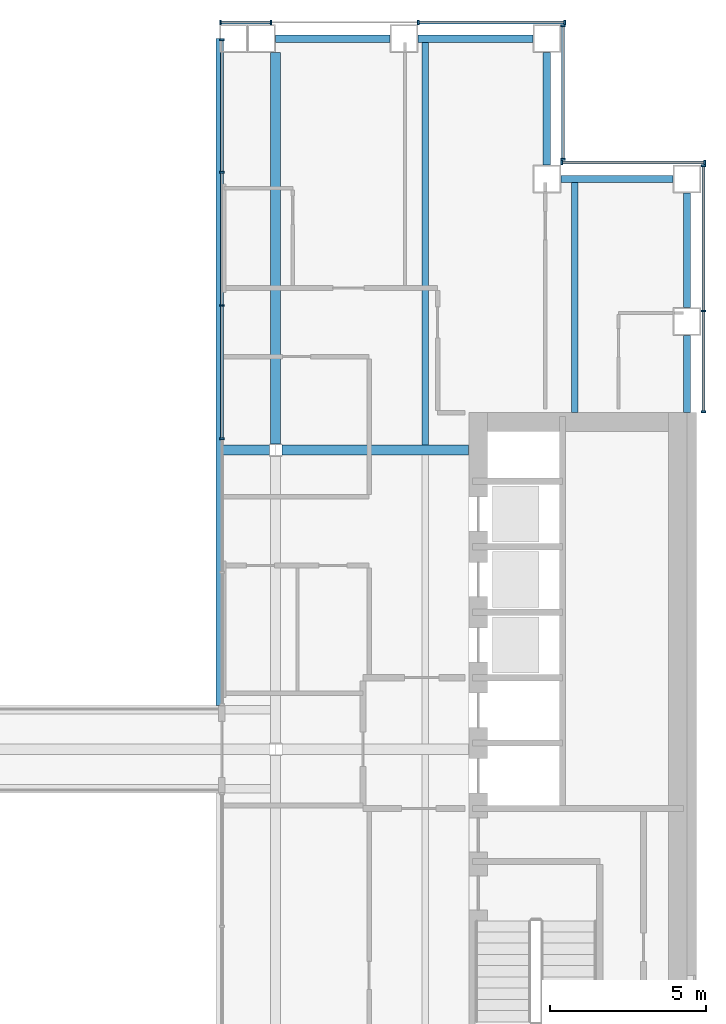
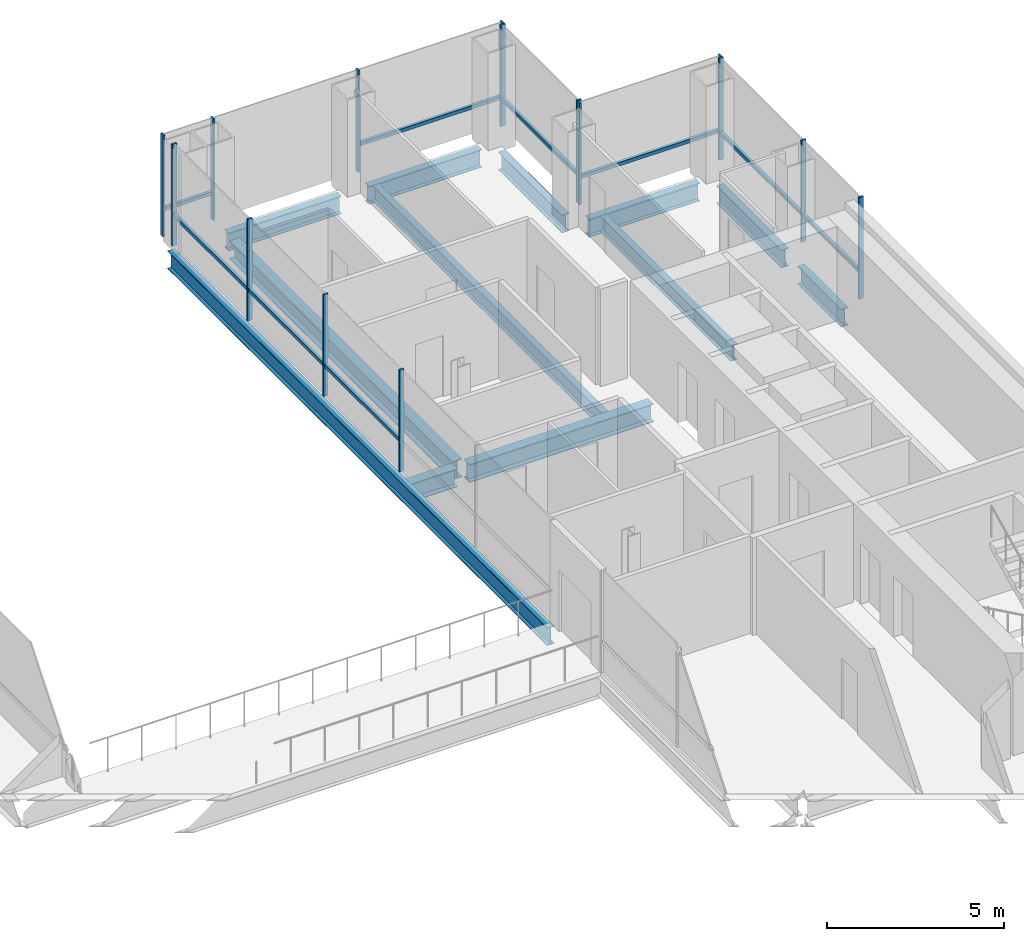
# One storey, part 8 of 16: 24 members, 12 beams, 5 elements without a shape of their own.
"""IFC4 building model written with IfcOpenShell, lengths in metres."""

from ifc_helpers import new_model, si_unit, direction, frame, origin, origin_2d, place, context, subcontext, project, spatial, rectangle, i_section, extrude, material, material_profile, profile_set, type_object, element, aggregate, save


model = new_model("IFC4")

# Units and contexts
model_context = context("Model", 3, precision=1e-05, world=origin(), true_north=direction((0.0, 1.0)))
body_context = subcontext(model_context, "Body", "Model", "MODEL_VIEW")
ifc_project = project(units=[si_unit("LENGTHUNIT", "METRE"), si_unit("AREAUNIT", "SQUARE_METRE"), si_unit("VOLUMEUNIT", "CUBIC_METRE"), si_unit("PLANEANGLEUNIT", "RADIAN"), si_unit("MASSUNIT", "GRAM", prefix="KILO")], contexts=[model_context])

# Site, building, storey
site_placement = place(None, origin())
site = spatial("IfcSite", under=ifc_project, at=site_placement, CompositionType="ELEMENT")
building_placement = place(site_placement, origin())
building = spatial("IfcBuilding", under=site, at=building_placement, Name="Cobrizo Arcos Hotel Tower", CompositionType="ELEMENT")
storey_placement = place(building_placement, frame((0.0, 0.0, 120.5)))
storey = spatial("IfcBuildingStorey", under=building, at=storey_placement, Name="L30", CompositionType="ELEMENT", Elevation=120.5)

# Curtain wall, members
ifc_material_1 = material(Name="Aluminium 6063-T6 anodised bronze", Category="aluminium")
curtain_wall_type_1 = type_object("IfcCurtainWallType", Name="CW-A guest facade", PredefinedType="NOTDEFINED", material=ifc_material_1)
curtain_wall_1_placement = place(storey_placement, origin())
curtain_wall_1 = element("IfcCurtainWall", 1, at=curtain_wall_1_placement, inside=storey, type_object=curtain_wall_type_1, Name="CW-A L30 E face", PredefinedType="NOTDEFINED")
ifc_material_profile_1 = material_profile(ifc_material_1, rectangle(XDim=0.14990234375, YDim=0.06005859375, at=origin_2d()), Name="CW-A mullion 150x60")
ifc_profile_set_1 = profile_set([ifc_material_profile_1], Name="Aluminium 6063-T6 anodised bronze")
member_type_1 = type_object("IfcMemberType", Name="CW-A mullion 150x60", PredefinedType="MULLION", material=ifc_profile_set_1)
member_1_placement = place(storey_placement, frame((23.324951171875, 10.830078125, 0.0), z_axis=(0.0, 0.0, 1.0), x_axis=(1.0, 0.0, 0.0)))
member_1 = element("IfcMember", 2, at=member_1_placement, type_object=member_type_1, Name="CW-A mullion 1", PredefinedType="MULLION", context=body_context, shape_type="SweptSolid", body=[
    extrude(rectangle(XDim=0.14990234375, YDim=0.06005859375, at=origin_2d()), origin(), (0.0, 0.0, 1.0), 3.5),
])
member_2_placement = place(storey_placement, frame((23.324951171875, 14.0625, 0.0), z_axis=(0.0, 0.0, 1.0), x_axis=(1.0, 0.0, 0.0)))
member_2 = element("IfcMember", 3, at=member_2_placement, type_object=member_type_1, Name="CW-A mullion 2", PredefinedType="MULLION", context=body_context, shape_type="SweptSolid", body=[
    extrude(rectangle(XDim=0.14990234375, YDim=0.06005859375, at=origin_2d()), origin(), (0.0, 0.0, 1.0), 3.5),
])
member_3_placement = place(storey_placement, frame((23.324951171875, 18.719970703125, 0.0), z_axis=(0.0, 0.0, 1.0), x_axis=(1.0, 0.0, 0.0)))
member_3 = element("IfcMember", 4, at=member_3_placement, type_object=member_type_1, Name="CW-A mullion 3", PredefinedType="MULLION", context=body_context, shape_type="SweptSolid", body=[
    extrude(rectangle(XDim=0.14990234375, YDim=0.06005859375, at=origin_2d()), origin(), (0.0, 0.0, 1.0), 3.5),
])

curtain_wall_2_placement = place(storey_placement, origin())
curtain_wall_2 = element("IfcCurtainWall", 5, at=curtain_wall_2_placement, inside=storey, type_object=curtain_wall_type_1, Name="CW-A L30 N face", PredefinedType="NOTDEFINED")
member_4_placement = place(storey_placement, frame((23.3701171875, 18.824951171875, 0.0), z_axis=(0.0, 0.0, 1.0), x_axis=(0.0, 1.0, 0.0)))
member_4 = element("IfcMember", 6, at=member_4_placement, type_object=member_type_1, Name="CW-A mullion 1", PredefinedType="MULLION", context=body_context, shape_type="SweptSolid", body=[
    extrude(rectangle(XDim=0.14990234375, YDim=0.06005859375, at=origin_2d()), origin(), (0.0, 0.0, 1.0), 3.5),
])
member_5_placement = place(storey_placement, frame((18.780029296875, 18.824951171875, 0.0), z_axis=(0.0, 0.0, 1.0), x_axis=(0.0, 1.0, 0.0)))
member_5 = element("IfcMember", 7, at=member_5_placement, type_object=member_type_1, Name="CW-A mullion 2", PredefinedType="MULLION", context=body_context, shape_type="SweptSolid", body=[
    extrude(rectangle(XDim=0.14990234375, YDim=0.06005859375, at=origin_2d()), origin(), (0.0, 0.0, 1.0), 3.5),
])

curtain_wall_3_placement = place(storey_placement, origin())
curtain_wall_3 = element("IfcCurtainWall", 8, at=curtain_wall_3_placement, inside=storey, type_object=curtain_wall_type_1, Name="CW-A L30 E face", PredefinedType="NOTDEFINED")
member_6_placement = place(storey_placement, frame((18.824951171875, 18.929931640625, 0.0), z_axis=(0.0, 0.0, 1.0), x_axis=(1.0, 0.0, 0.0)))
member_6 = element("IfcMember", 9, at=member_6_placement, type_object=member_type_1, Name="CW-A mullion 1", PredefinedType="MULLION", context=body_context, shape_type="SweptSolid", body=[
    extrude(rectangle(XDim=0.14990234375, YDim=0.06005859375, at=origin_2d()), origin(), (0.0, 0.0, 1.0), 3.5),
])
member_7_placement = place(storey_placement, frame((18.824951171875, 23.219970703125, 0.0), z_axis=(0.0, 0.0, 1.0), x_axis=(1.0, 0.0, 0.0)))
member_7 = element("IfcMember", 10, at=member_7_placement, type_object=member_type_1, Name="CW-A mullion 2", PredefinedType="MULLION", context=body_context, shape_type="SweptSolid", body=[
    extrude(rectangle(XDim=0.14990234375, YDim=0.06005859375, at=origin_2d()), origin(), (0.0, 0.0, 1.0), 3.5),
])

curtain_wall_4_placement = place(storey_placement, origin())
curtain_wall_4 = element("IfcCurtainWall", 11, at=curtain_wall_4_placement, inside=storey, type_object=curtain_wall_type_1, Name="CW-A L30 N face", PredefinedType="NOTDEFINED")
member_8_placement = place(storey_placement, frame((18.8701171875, 23.324951171875, 0.0), z_axis=(0.0, 0.0, 1.0), x_axis=(0.0, 1.0, 0.0)))
member_8 = element("IfcMember", 12, at=member_8_placement, type_object=member_type_1, Name="CW-A mullion 1", PredefinedType="MULLION", context=body_context, shape_type="SweptSolid", body=[
    extrude(rectangle(XDim=0.14990234375, YDim=0.06005859375, at=origin_2d()), origin(), (0.0, 0.0, 1.0), 3.5),
])
member_9_placement = place(storey_placement, frame((14.175048828125, 23.324951171875, 0.0), z_axis=(0.0, 0.0, 1.0), x_axis=(0.0, 1.0, 0.0)))
member_9 = element("IfcMember", 13, at=member_9_placement, type_object=member_type_1, Name="CW-A mullion 2", PredefinedType="MULLION", context=body_context, shape_type="SweptSolid", body=[
    extrude(rectangle(XDim=0.14990234375, YDim=0.06005859375, at=origin_2d()), origin(), (0.0, 0.0, 1.0), 3.5),
])
member_10_placement = place(storey_placement, frame((9.449951171875, 23.324951171875, 0.0), z_axis=(0.0, 0.0, 1.0), x_axis=(0.0, 1.0, 0.0)))
member_10 = element("IfcMember", 14, at=member_10_placement, type_object=member_type_1, Name="CW-A mullion 3", PredefinedType="MULLION", context=body_context, shape_type="SweptSolid", body=[
    extrude(rectangle(XDim=0.14990234375, YDim=0.06005859375, at=origin_2d()), origin(), (0.0, 0.0, 1.0), 3.5),
])
member_11_placement = place(storey_placement, frame((7.830078125, 23.324951171875, 0.0), z_axis=(0.0, 0.0, 1.0), x_axis=(0.0, 1.0, 0.0)))
member_11 = element("IfcMember", 15, at=member_11_placement, type_object=member_type_1, Name="CW-A mullion 4", PredefinedType="MULLION", context=body_context, shape_type="SweptSolid", body=[
    extrude(rectangle(XDim=0.14990234375, YDim=0.06005859375, at=origin_2d()), origin(), (0.0, 0.0, 1.0), 3.5),
])

# Member
ifc_material_profile_2 = material_profile(ifc_material_1, rectangle(XDim=0.10009765625, YDim=0.1201171875, at=origin_2d()), Name="CW-A transom 120x100")
ifc_profile_set_2 = profile_set([ifc_material_profile_2], Name="Aluminium 6063-T6 anodised bronze")
member_type_2 = type_object("IfcMemberType", Name="CW-A transom 120x100", PredefinedType="USERDEFINED", material=ifc_profile_set_2)
member_12_placement = place(storey_placement, frame((23.324951171875, 10.860107421875, 0.929931640625), z_axis=(0.0, 1.0, 0.0), x_axis=(-1.0, 0.0, 0.0)))
member_12 = element("IfcMember", 16, at=member_12_placement, type_object=member_type_2, Name="CW-A transom 1145", ObjectType="TRANSOM", PredefinedType="USERDEFINED", context=body_context, shape_type="SweptSolid", body=[
    extrude(rectangle(XDim=0.10009765625, YDim=0.1201171875, at=origin_2d()), origin(), (0.0, 0.0, 1.0), 3.17236328125),
])

member_13_placement = place(storey_placement, frame((23.324951171875, 14.092529296875, 0.929931640625), z_axis=(0.0, 1.0, 0.0), x_axis=(-1.0, 0.0, 0.0)))
member_13 = element("IfcMember", 17, at=member_13_placement, type_object=member_type_2, Name="CW-A transom 1146", ObjectType="TRANSOM", PredefinedType="USERDEFINED", context=body_context, shape_type="SweptSolid", body=[
    extrude(rectangle(XDim=0.10009765625, YDim=0.1201171875, at=origin_2d()), origin(), (0.0, 0.0, 1.0), 4.597412109375),
])

aggregate(curtain_wall_1, [member_1, member_2, member_3, member_12, member_13])

member_14_placement = place(storey_placement, frame((23.340087890625, 18.824951171875, 0.929931640625), z_axis=(-1.0, 0.0, 0.0), x_axis=(0.0, -1.0, 0.0)))
member_14 = element("IfcMember", 18, at=member_14_placement, type_object=member_type_2, Name="CW-A transom 1147", ObjectType="TRANSOM", PredefinedType="USERDEFINED", context=body_context, shape_type="SweptSolid", body=[
    extrude(rectangle(XDim=0.10009765625, YDim=0.1201171875, at=origin_2d()), origin(), (0.0, 0.0, 1.0), 4.530029296875),
])

aggregate(curtain_wall_2, [member_4, member_5, member_14])

member_15_placement = place(storey_placement, frame((18.824951171875, 18.9599609375, 0.929931640625), z_axis=(0.0, 1.0, 0.0), x_axis=(-1.0, 0.0, 0.0)))
member_15 = element("IfcMember", 19, at=member_15_placement, type_object=member_type_2, Name="CW-A transom 1148", ObjectType="TRANSOM", PredefinedType="USERDEFINED", context=body_context, shape_type="SweptSolid", body=[
    extrude(rectangle(XDim=0.10009765625, YDim=0.1201171875, at=origin_2d()), origin(), (0.0, 0.0, 1.0), 4.22998046875),
])

aggregate(curtain_wall_3, [member_6, member_7, member_15])

member_16_placement = place(storey_placement, frame((18.840087890625, 23.324951171875, 0.929931640625), z_axis=(-1.0, 0.0, 0.0), x_axis=(0.0, -1.0, 0.0)))
member_16 = element("IfcMember", 20, at=member_16_placement, type_object=member_type_2, Name="CW-A transom 1149", ObjectType="TRANSOM", PredefinedType="USERDEFINED", context=body_context, shape_type="SweptSolid", body=[
    extrude(rectangle(XDim=0.10009765625, YDim=0.1201171875, at=origin_2d()), origin(), (0.0, 0.0, 1.0), 4.635009765625),
])

member_17_placement = place(storey_placement, frame((9.419921875, 23.324951171875, 0.929931640625), z_axis=(-1.0, 0.0, 0.0), x_axis=(0.0, -1.0, 0.0)))
member_17 = element("IfcMember", 21, at=member_17_placement, type_object=member_type_2, Name="CW-A transom 1151", ObjectType="TRANSOM", PredefinedType="USERDEFINED", context=body_context, shape_type="SweptSolid", body=[
    extrude(rectangle(XDim=0.10009765625, YDim=0.1201171875, at=origin_2d()), origin(), (0.0, 0.0, 1.0), 1.559814453125),
])

aggregate(curtain_wall_4, [member_8, member_9, member_10, member_11, member_16, member_17])

# Curtain wall, members
curtain_wall_type_2 = type_object("IfcCurtainWallType", Name="CW-F void screen", PredefinedType="NOTDEFINED", material=ifc_material_1)
curtain_wall_5_placement = place(storey_placement, origin())
curtain_wall_5 = element("IfcCurtainWall", 22, at=curtain_wall_5_placement, inside=storey, type_object=curtain_wall_type_2, Name="CW-F L30 void screen B", PredefinedType="NOTDEFINED")
ifc_material_profile_3 = material_profile(ifc_material_1, rectangle(XDim=0.14990234375, YDim=0.06005859375, at=origin_2d()), Name="CW-F mullion 150x60")
ifc_profile_set_3 = profile_set([ifc_material_profile_3], Name="Aluminium 6063-T6 anodised bronze")
member_type_3 = type_object("IfcMemberType", Name="CW-F mullion 150x60", PredefinedType="MULLION", material=ifc_profile_set_3)
member_18_placement = place(storey_placement, frame((7.875, 9.9599609375, 0.0), z_axis=(0.0, 0.0, 1.0), x_axis=(1.0, 0.0, 0.0)))
member_18 = element("IfcMember", 23, at=member_18_placement, type_object=member_type_3, Name="CW-F mullion 3", PredefinedType="MULLION", context=body_context, shape_type="SweptSolid", body=[
    extrude(rectangle(XDim=0.14990234375, YDim=0.06005859375, at=origin_2d()), origin(), (0.0, 0.0, 1.0), 3.5),
])
member_19_placement = place(storey_placement, frame((7.875, 14.239990234375, 0.0), z_axis=(0.0, 0.0, 1.0), x_axis=(1.0, 0.0, 0.0)))
member_19 = element("IfcMember", 24, at=member_19_placement, type_object=member_type_3, Name="CW-F mullion 4", PredefinedType="MULLION", context=body_context, shape_type="SweptSolid", body=[
    extrude(rectangle(XDim=0.14990234375, YDim=0.06005859375, at=origin_2d()), origin(), (0.0, 0.0, 1.0), 3.5),
])
member_20_placement = place(storey_placement, frame((7.875, 18.52001953125, 0.0), z_axis=(0.0, 0.0, 1.0), x_axis=(1.0, 0.0, 0.0)))
member_20 = element("IfcMember", 25, at=member_20_placement, type_object=member_type_3, Name="CW-F mullion 5", PredefinedType="MULLION", context=body_context, shape_type="SweptSolid", body=[
    extrude(rectangle(XDim=0.14990234375, YDim=0.06005859375, at=origin_2d()), origin(), (0.0, 0.0, 1.0), 3.5),
])
member_21_placement = place(storey_placement, frame((7.875, 22.77001953125, 0.0), z_axis=(0.0, 0.0, 1.0), x_axis=(1.0, 0.0, 0.0)))
member_21 = element("IfcMember", 26, at=member_21_placement, type_object=member_type_3, Name="CW-F mullion 6", PredefinedType="MULLION", context=body_context, shape_type="SweptSolid", body=[
    extrude(rectangle(XDim=0.14990234375, YDim=0.06005859375, at=origin_2d()), origin(), (0.0, 0.0, 1.0), 3.5),
])
ifc_material_profile_4 = material_profile(ifc_material_1, rectangle(XDim=0.10009765625, YDim=0.1201171875, at=origin_2d()), Name="CW-F transom 120x100")
ifc_profile_set_4 = profile_set([ifc_material_profile_4], Name="Aluminium 6063-T6 anodised bronze")
member_type_4 = type_object("IfcMemberType", Name="CW-F transom 120x100", PredefinedType="USERDEFINED", material=ifc_profile_set_4)
member_22_placement = place(storey_placement, frame((7.875, 9.989990234375, 1.050048828125), z_axis=(0.0, 1.0, 0.0), x_axis=(-1.0, 0.0, 0.0)))
member_22 = element("IfcMember", 27, at=member_22_placement, type_object=member_type_4, Name="CW-F transom 2593", ObjectType="TRANSOM", PredefinedType="USERDEFINED", context=body_context, shape_type="SweptSolid", body=[
    extrude(rectangle(XDim=0.10009765625, YDim=0.1201171875, at=origin_2d()), origin(), (0.0, 0.0, 1.0), 4.219970703125),
])
member_23_placement = place(storey_placement, frame((7.875, 14.27001953125, 1.050048828125), z_axis=(0.0, 1.0, 0.0), x_axis=(-1.0, 0.0, 0.0)))
member_23 = element("IfcMember", 28, at=member_23_placement, type_object=member_type_4, Name="CW-F transom 2594", ObjectType="TRANSOM", PredefinedType="USERDEFINED", context=body_context, shape_type="SweptSolid", body=[
    extrude(rectangle(XDim=0.10009765625, YDim=0.1201171875, at=origin_2d()), origin(), (0.0, 0.0, 1.0), 4.219970703125),
])
member_24_placement = place(storey_placement, frame((7.875, 18.550048828125, 1.050048828125), z_axis=(0.0, 1.0, 0.0), x_axis=(-1.0, 0.0, 0.0)))
member_24 = element("IfcMember", 29, at=member_24_placement, type_object=member_type_4, Name="CW-F transom 2595", ObjectType="TRANSOM", PredefinedType="USERDEFINED", context=body_context, shape_type="SweptSolid", body=[
    extrude(rectangle(XDim=0.10009765625, YDim=0.1201171875, at=origin_2d()), origin(), (0.0, 0.0, 1.0), 4.18994140625),
])
aggregate(curtain_wall_5, [member_18, member_19, member_20, member_21, member_22, member_23, member_24])

# Beams
ifc_material_2 = material(Name="Steel ASTM A992 Grade 50", Category="steel")
ifc_material_profile_5 = material_profile(ifc_material_2, i_section(OverallWidth=0.209228515625, OverallDepth=0.533447265625, WebThickness=0.01025390625, FlangeThickness=0.015625, at=origin_2d()), Name="W21X62")
ifc_profile_set_5 = profile_set([ifc_material_profile_5], Name="Steel ASTM A992 Grade 50")
beam_type_1 = type_object("IfcBeamType", Name="W21X62 joist", PredefinedType="JOIST", material=ifc_profile_set_5)
beam_1_placement = place(storey_placement, frame((14.39990234375, 9.763916015625, -0.416748046875), z_axis=(0.0, 1.0, 0.0), x_axis=(-1.0, 0.0, 0.0)))
element("IfcBeam", 30, at=beam_1_placement, inside=storey, type_object=beam_type_1, Name="Floor joist J1, L30, no. 010", PredefinedType="JOIST", context=body_context, shape_type="SweptSolid", body=[
    extrude(i_section(OverallWidth=0.209228515625, OverallDepth=0.533447265625, WebThickness=0.01025390625, FlangeThickness=0.015625, at=origin_2d()), origin(), (0.0, 0.0, 1.0), 12.946044921875),
])
beam_2_placement = place(storey_placement, frame((19.199951171875, 10.81005859375, -0.416748046875), z_axis=(0.0, 1.0, 0.0), x_axis=(-1.0, 0.0, 0.0)))
element("IfcBeam", 31, at=beam_2_placement, inside=storey, type_object=beam_type_1, Name="Floor joist J1, L30, no. 012", PredefinedType="JOIST", context=body_context, shape_type="SweptSolid", body=[
    extrude(i_section(OverallWidth=0.209228515625, OverallDepth=0.533447265625, WebThickness=0.01025390625, FlangeThickness=0.015625, at=origin_2d()), origin(), (0.0, 0.0, 1.0), 7.39990234375),
])
ifc_material_profile_6 = material_profile(ifc_material_2, i_section(OverallWidth=0.32763671875, OverallDepth=0.622314453125, WebThickness=0.015380859375, FlangeThickness=0.0244140625, at=origin_2d()), Name="W24X131")
ifc_profile_set_6 = profile_set([ifc_material_profile_6], Name="Steel ASTM A992 Grade 50")
beam_type_2 = type_object("IfcBeamType", Name="W24X131 girder", PredefinedType="BEAM", material=ifc_profile_set_6)
beam_3_placement = place(storey_placement, frame((7.889892578125, 9.60009765625, -0.461181640625), z_axis=(1.0, 0.0, 0.0), x_axis=(0.0, 1.0, 0.0)))
element("IfcBeam", 32, at=beam_3_placement, inside=storey, type_object=beam_type_2, Name="Floor girder G1, L30, no. 010", PredefinedType="BEAM", context=body_context, shape_type="SweptSolid", body=[
    extrude(i_section(OverallWidth=0.32763671875, OverallDepth=0.622314453125, WebThickness=0.015380859375, FlangeThickness=0.0244140625, at=origin_2d()), origin(), (0.0, 0.0, 1.0), 1.5107421875),
])
beam_4_placement = place(storey_placement, frame((9.79931640625, 9.60009765625, -0.461181640625), z_axis=(1.0, 0.0, 0.0), x_axis=(0.0, 1.0, 0.0)))
element("IfcBeam", 33, at=beam_4_placement, inside=storey, type_object=beam_type_2, Name="Floor girder G1, L30, no. 011", PredefinedType="BEAM", context=body_context, shape_type="SweptSolid", body=[
    extrude(i_section(OverallWidth=0.32763671875, OverallDepth=0.622314453125, WebThickness=0.015380859375, FlangeThickness=0.0244140625, at=origin_2d()), origin(), (0.0, 0.0, 1.0), 5.99072265625),
])
beam_5_placement = place(storey_placement, frame((9.60009765625, 9.79931640625, -0.461181640625), z_axis=(0.0, 1.0, 0.0), x_axis=(-1.0, 0.0, 0.0)))
element("IfcBeam", 34, at=beam_5_placement, inside=storey, type_object=beam_type_2, Name="Floor girder G1, L30, no. 019", PredefinedType="BEAM", context=body_context, shape_type="SweptSolid", body=[
    extrude(i_section(OverallWidth=0.32763671875, OverallDepth=0.622314453125, WebThickness=0.015380859375, FlangeThickness=0.0244140625, at=origin_2d()), origin(), (0.0, 0.0, 1.0), 12.55078125),
])
ifc_material_profile_7 = material_profile(ifc_material_2, i_section(OverallWidth=0.23046875, OverallDepth=0.6171875, WebThickness=0.01318359375, FlangeThickness=0.022216796875, at=origin_2d()), Name="W24X94")
ifc_profile_set_7 = profile_set([ifc_material_profile_7], Name="Steel ASTM A992 Grade 50")
beam_type_3 = type_object("IfcBeamType", Name="W24X94 spandrel", PredefinedType="SPANDREL", material=ifc_profile_set_7)
beam_6_placement = place(storey_placement, frame((18.75, 18.300048828125, -0.45849609375), z_axis=(1.0, 0.0, 0.0), x_axis=(0.0, 1.0, 0.0)))
element("IfcBeam", 35, at=beam_6_placement, inside=storey, type_object=beam_type_3, Name="Spandrel beam W24X94, L30, no. 001", PredefinedType="SPANDREL", context=body_context, shape_type="SweptSolid", body=[
    extrude(i_section(OverallWidth=0.23046875, OverallDepth=0.6171875, WebThickness=0.01318359375, FlangeThickness=0.022216796875, at=origin_2d()), origin(), (0.0, 0.0, 1.0), 3.60009765625),
])
beam_7_placement = place(storey_placement, frame((22.800048828125, 17.85009765625, -0.45849609375), z_axis=(0.0, -1.0, 0.0), x_axis=(1.0, 0.0, 0.0)))
element("IfcBeam", 36, at=beam_7_placement, inside=storey, type_object=beam_type_3, Name="Spandrel beam W24X94, L30, no. 002", PredefinedType="SPANDREL", context=body_context, shape_type="SweptSolid", body=[
    extrude(i_section(OverallWidth=0.23046875, OverallDepth=0.6171875, WebThickness=0.01318359375, FlangeThickness=0.022216796875, at=origin_2d()), origin(), (0.0, 0.0, 1.0), 3.675048828125),
])
beam_8_placement = place(storey_placement, frame((22.800048828125, 13.27490234375, -0.45849609375), z_axis=(0.0, -1.0, 0.0), x_axis=(1.0, 0.0, 0.0)))
element("IfcBeam", 37, at=beam_8_placement, inside=storey, type_object=beam_type_3, Name="Spandrel beam W24X94, L30, no. 003", PredefinedType="SPANDREL", context=body_context, shape_type="SweptSolid", body=[
    extrude(i_section(OverallWidth=0.23046875, OverallDepth=0.6171875, WebThickness=0.01318359375, FlangeThickness=0.022216796875, at=origin_2d()), origin(), (0.0, 0.0, 1.0), 2.46484375),
])
beam_9_placement = place(storey_placement, frame((7.800048828125, 1.39990234375, -0.45849609375), z_axis=(0.0, 1.0, 0.0), x_axis=(-1.0, 0.0, 0.0)))
element("IfcBeam", 38, at=beam_9_placement, inside=storey, type_object=beam_type_3, Name="Spandrel beam W24X94, L30, no. 025", PredefinedType="SPANDREL", context=body_context, shape_type="SweptSolid", body=[
    extrude(i_section(OverallWidth=0.23046875, OverallDepth=0.6171875, WebThickness=0.01318359375, FlangeThickness=0.022216796875, at=origin_2d()), origin(), (0.0, 0.0, 1.0), 21.400146484375),
])
beam_10_placement = place(storey_placement, frame((9.60009765625, 22.800048828125, -0.45849609375), z_axis=(1.0, 0.0, 0.0), x_axis=(0.0, 1.0, 0.0)))
element("IfcBeam", 39, at=beam_10_placement, inside=storey, type_object=beam_type_3, Name="Spandrel beam W24X94, L30, no. 026", PredefinedType="SPANDREL", context=body_context, shape_type="SweptSolid", body=[
    extrude(i_section(OverallWidth=0.23046875, OverallDepth=0.6171875, WebThickness=0.01318359375, FlangeThickness=0.022216796875, at=origin_2d()), origin(), (0.0, 0.0, 1.0), 3.6748046875),
])
beam_11_placement = place(storey_placement, frame((14.175048828125, 22.800048828125, -0.45849609375), z_axis=(1.0, 0.0, 0.0), x_axis=(0.0, 1.0, 0.0)))
element("IfcBeam", 40, at=beam_11_placement, inside=storey, type_object=beam_type_3, Name="Spandrel beam W24X94, L30, no. 027", PredefinedType="SPANDREL", context=body_context, shape_type="SweptSolid", body=[
    extrude(i_section(OverallWidth=0.23046875, OverallDepth=0.6171875, WebThickness=0.01318359375, FlangeThickness=0.022216796875, at=origin_2d()), origin(), (0.0, 0.0, 1.0), 3.675048828125),
])
beam_12_placement = place(storey_placement, frame((18.300048828125, 22.35009765625, -0.45849609375), z_axis=(0.0, -1.0, 0.0), x_axis=(1.0, 0.0, 0.0)))
element("IfcBeam", 41, at=beam_12_placement, inside=storey, type_object=beam_type_3, Name="Spandrel beam W24X94, L30, no. 028", PredefinedType="SPANDREL", context=body_context, shape_type="SweptSolid", body=[
    extrude(i_section(OverallWidth=0.23046875, OverallDepth=0.6171875, WebThickness=0.01318359375, FlangeThickness=0.022216796875, at=origin_2d()), origin(), (0.0, 0.0, 1.0), 3.60009765625),
])

save(model, "model.ifc")
